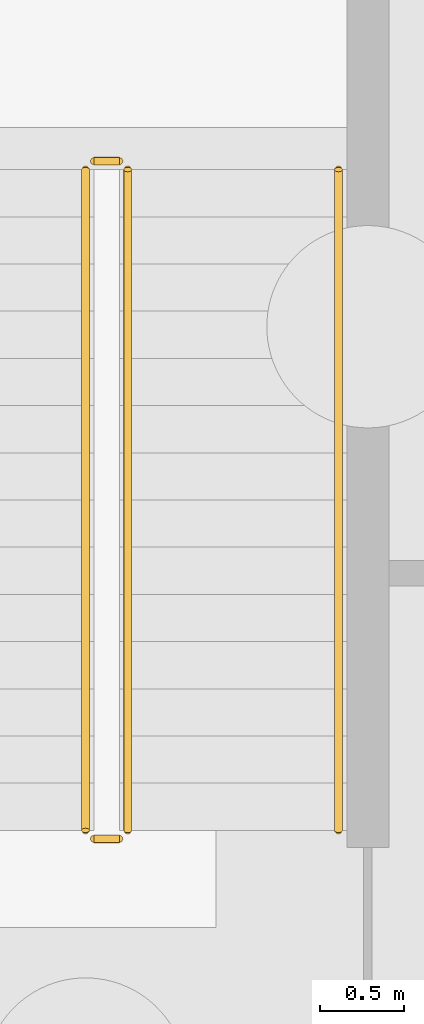
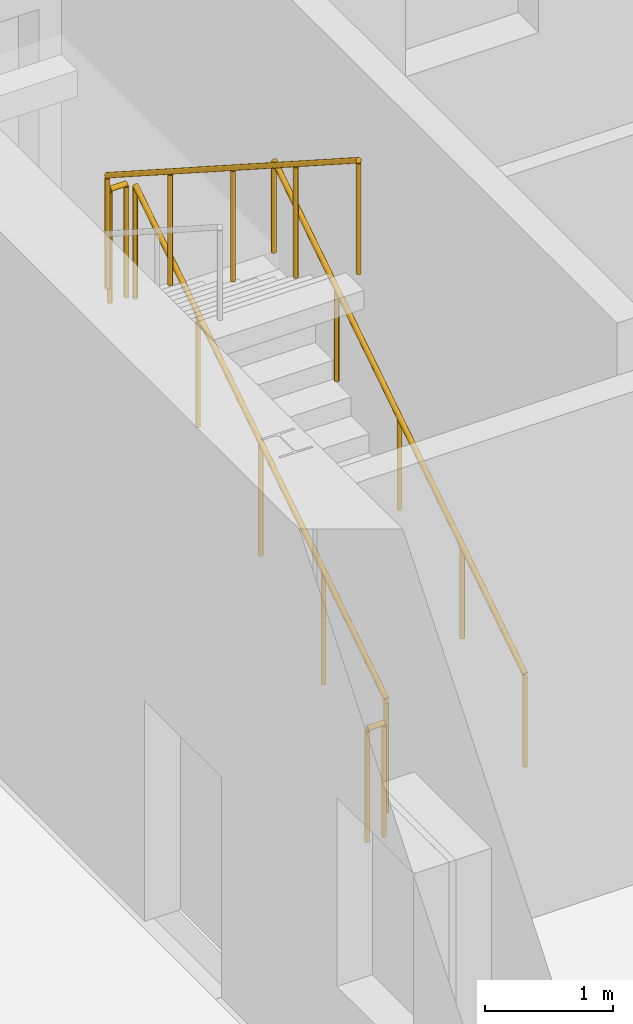
# One storey, part 148 of 168: 5 railings.
"""IFC4 building model written with IfcOpenShell, lengths in metres."""

import ifcopenshell
import ifcopenshell.guid

model = None  # the IFC model being written
_history = None  # IfcOwnerHistory: only IFC2X3 demands one
_inside = {}  # id of a spatial element -> (the spatial element, [elements in it])
_under = {}  # id of a project, library or spatial element -> (it, [spatial elements below it])
_declared = {}  # id of a project -> (the project, [libraries it declares])
_typed = {}  # id of a type object -> (the type object, [elements of that type])
_made_of = {}  # id of a material, layer set ... -> (it, [elements and type objects made of it])


def new_model(schema):
    """Start an empty IFC model of exactly this schema.

    Asked for "IFC4X3", IfcOpenShell would pick the latest addendum, in which some entities
    have other attributes; the version numbers below select the first issue.
    IFC2X3 requires an IfcOwnerHistory on every rooted entity: one is made here for all.
    """
    global model, _history
    if schema == "IFC4X3":
        model = ifcopenshell.file(schema_version=(4, 3, 0, 0))
    else:
        model = ifcopenshell.file(schema=schema)
    _inside.clear()
    _under.clear()
    _declared.clear()
    _typed.clear()
    _made_of.clear()
    _history = None
    if model.schema == "IFC2X3":
        org = make("IfcOrganization", Name="unknown")
        user = make(
            "IfcPersonAndOrganization",
            ThePerson=make("IfcPerson", FamilyName="unknown"),
            TheOrganization=org,
        )
        app = make(
            "IfcApplication",
            ApplicationDeveloper=org,
            Version="unknown",
            ApplicationFullName="unknown",
            ApplicationIdentifier="unknown",
        )
        _history = make(
            "IfcOwnerHistory",
            OwningUser=user,
            OwningApplication=app,
            ChangeAction="ADDED",
            CreationDate=0,
        )
    return model


def make(cls, **values):
    """One entity of the class cls with the attributes given. An attribute that is None is left unset."""
    return model.create_entity(
        cls, **{name: value for name, value in values.items() if value is not None}
    )


def rooted(cls, **values):
    """An entity with a GlobalId (a new one), such as an element, a storey or a relation."""
    return make(cls, GlobalId=ifcopenshell.guid.new(), OwnerHistory=_history, **values)


def si_unit(unit_type, name, prefix=None):
    """IfcSIUnit, for example si_unit("LENGTHUNIT", "METRE", prefix="MILLI")."""
    return make("IfcSIUnit", UnitType=unit_type, Prefix=prefix, Name=name)


def assignment(units):
    """IfcUnitAssignment: the units of a project."""
    return None if units is None else make("IfcUnitAssignment", Units=units)


def point(xyz):
    """IfcCartesianPoint."""
    return None if xyz is None else make("IfcCartesianPoint", Coordinates=xyz)


def direction(xyz):
    """IfcDirection."""
    return None if xyz is None else make("IfcDirection", DirectionRatios=xyz)


def frame(location, z_axis=None, x_axis=None):
    """IfcAxis2Placement3D, a coordinate frame: its origin and axes. An axis left out is left unset."""
    return make(
        "IfcAxis2Placement3D",
        Location=point(location),
        Axis=direction(z_axis),
        RefDirection=direction(x_axis),
    )


def frame_2d(location, x_axis=None):
    """IfcAxis2Placement2D, a coordinate frame in the plane: its origin and x axis."""
    return make(
        "IfcAxis2Placement2D", Location=point(location), RefDirection=direction(x_axis)
    )


def origin():
    """The frame at (0, 0, 0) with its axes left unset."""
    return frame((0.0, 0.0, 0.0))


def origin_2d():
    """The frame at (0, 0) in the plane with its x axis left unset."""
    return frame_2d((0.0, 0.0))


def place(relative_to, where):
    """IfcLocalPlacement: puts the frame where relative to a parent placement (None: the world)."""
    return make(
        "IfcLocalPlacement", PlacementRelTo=relative_to, RelativePlacement=where
    )


def context(
    kind, dimensions, precision=None, world=None, true_north=None, identifier=None
):
    """IfcGeometricRepresentationContext, for example the 3D "Model" context."""
    return make(
        "IfcGeometricRepresentationContext",
        ContextIdentifier=identifier,
        ContextType=kind,
        CoordinateSpaceDimension=dimensions,
        Precision=precision,
        WorldCoordinateSystem=world,
        TrueNorth=true_north,
    )


def subcontext(parent, identifier, kind, view, scale=None):
    """IfcGeometricRepresentationSubContext, for example "Body" below "Model"."""
    return make(
        "IfcGeometricRepresentationSubContext",
        ContextIdentifier=identifier,
        ContextType=kind,
        ParentContext=parent,
        TargetScale=scale,
        TargetView=view,
    )


def project(units=None, contexts=None):
    """IfcProject with its units and contexts."""
    return rooted(
        "IfcProject",
        Name="project",
        RepresentationContexts=contexts,
        UnitsInContext=assignment(units),
    )


def spatial(cls, under=None, at=None, **own):
    """A site, building, storey or space (cls), placed at a placement, below another one or the project."""
    s = rooted(cls, ObjectPlacement=at, **own)
    if under is not None:
        _under.setdefault(under.id(), (under, []))[1].append(s)
    return s


def profile(cls, at=None, kind="AREA", **sizes):
    """A parametric profile (cls). Its sizes go by their IFC names, for example OverallWidth=200.0."""
    return make(cls, ProfileType=kind, Position=at, **sizes)


def circle(**sizes):
    """IfcCircleProfileDef."""
    return profile("IfcCircleProfileDef", **sizes)


def extrude(swept, where, along, depth):
    """IfcExtrudedAreaSolid: the profile swept, set in the frame where, extruded along a direction by depth."""
    return make(
        "IfcExtrudedAreaSolid",
        SweptArea=swept,
        Position=where,
        ExtrudedDirection=direction(along),
        Depth=depth,
    )


def shape(context_of_items, identifier, shape_type, items):
    """IfcShapeRepresentation: the items that make up one representation, for example the "Body"."""
    return make(
        "IfcShapeRepresentation",
        ContextOfItems=context_of_items,
        RepresentationIdentifier=identifier,
        RepresentationType=shape_type,
        Items=items,
    )


def material(Name=None, Category=None):
    """IfcMaterial."""
    return make("IfcMaterial", Name=Name, Category=Category)


def made_of(thing, what):
    """Note that an element or type object is made of a material, layer set ...; save() writes the relation."""
    if what is not None:
        _made_of.setdefault(what.id(), (what, []))[1].append(thing)
    return thing


def type_object(cls, material=None, **own):
    """A type object (cls), such as IfcWallType, which elements share."""
    return made_of(rooted(cls, **own), material)


def element(
    cls,
    number,
    at=None,
    inside=None,
    cuts=None,
    type_object=None,
    material=None,
    context=None,
    identifier="Body",
    shape_type=None,
    held_by="IfcProductDefinitionShape",
    body=None,
    shapes=None,
    **own,
):
    """One element of the class cls, such as IfcWall. Its Tag is "e" and its number.

    at: its placement. inside: the storey or other place that contains it. cuts: it is an
    opening in that element (IfcRelVoidsElement). A single representation is given by context,
    identifier, shape_type and body (its items); several are given by shapes. held_by: the class
    of the entity that holds the representations. save() writes the other relations.
    """
    e = rooted(cls, Tag="e%d" % number, ObjectPlacement=at, **own)
    if body is not None:
        shapes = [shape(context, identifier, shape_type, body)]
    if shapes is not None:
        e.Representation = make(held_by, Representations=shapes)
    if inside is not None:
        _inside.setdefault(inside.id(), (inside, []))[1].append(e)
    if cuts is not None:
        rooted(
            "IfcRelVoidsElement", RelatingBuildingElement=cuts, RelatedOpeningElement=e
        )
    if type_object is not None:
        _typed.setdefault(type_object.id(), (type_object, []))[1].append(e)
    return made_of(e, material)


def aggregate(whole, parts):
    """IfcRelAggregates: a whole, such as a stair, and the parts it consists of."""
    return rooted("IfcRelAggregates", RelatingObject=whole, RelatedObjects=parts)


def save(model, path):
    """Write the relations noted so far, then the file.

    IfcRelAggregates (storeys below a building ...), IfcRelContainedInSpatialStructure (elements
    in a storey), IfcRelDefinesByType, IfcRelAssociatesMaterial and IfcRelDeclares: one each for
    every whole, place, type object, material and project.
    """
    for whole, parts in _under.values():
        aggregate(whole, parts)
    for where, things in _inside.values():
        rooted(
            "IfcRelContainedInSpatialStructure",
            RelatedElements=things,
            RelatingStructure=where,
        )
    for kind, things in _typed.values():
        rooted("IfcRelDefinesByType", RelatedObjects=things, RelatingType=kind)
    for what, things in _made_of.values():
        rooted("IfcRelAssociatesMaterial", RelatedObjects=things, RelatingMaterial=what)
    for by, libraries in _declared.values():
        rooted("IfcRelDeclares", RelatingContext=by, RelatedDefinitions=libraries)
    model.write(path)


model = new_model("IFC4")

# Units and contexts
model_context = context("Model", 3, precision=1e-05, world=origin(), true_north=direction((0.0, 1.0)))
body_context = subcontext(model_context, "Body", "Model", "MODEL_VIEW")
ifc_project = project(units=[si_unit("LENGTHUNIT", "METRE"), si_unit("AREAUNIT", "SQUARE_METRE"), si_unit("VOLUMEUNIT", "CUBIC_METRE"), si_unit("PLANEANGLEUNIT", "RADIAN"), si_unit("MASSUNIT", "GRAM", prefix="KILO")], contexts=[model_context])

# Site, building, storey
site_placement = place(None, origin())
site = spatial("IfcSite", under=ifc_project, at=site_placement, CompositionType="ELEMENT")
building_placement = place(site_placement, origin())
building = spatial("IfcBuilding", under=site, at=building_placement, Name="Golden Quay Civic Hall", CompositionType="ELEMENT")
storey_placement = place(building_placement, origin())
storey = spatial("IfcBuildingStorey", under=building, at=storey_placement, Name="L00", CompositionType="ELEMENT", Elevation=0.0)

# Railings
ifc_material_1 = material(Name="Steel S355", Category="steel")
railing_type_1 = type_object("IfcRailingType", Name="Steel guard 1100", PredefinedType="GUARDRAIL", material=ifc_material_1)
railing_1_placement = place(storey_placement, frame((118.75, 91.47509765625, 0.179931640625)))
element("IfcRailing", 1, at=railing_1_placement, inside=storey, type_object=railing_type_1, Name="L00 LB-STN stair guard 1", PredefinedType="GUARDRAIL", context=body_context, shape_type="SweptSolid", body=[
    extrude(circle(Radius=0.02392578125, at=origin_2d()), frame((0.0, 0.0, 1.076171875), z_axis=(0.0, 0.841171666519, 0.540768182723), x_axis=(-1.0, 0.0, 0.0)), (0.0, 0.0, 1.0), 4.66015625),
    extrude(circle(Radius=0.02099609375, at=origin_2d()), origin(), (0.0, 0.0, 1.0), 1.052001953125),
    extrude(circle(Radius=0.02099609375, at=origin_2d()), frame((0.0, 0.97998046875, 0.6298828125)), (0.0, 0.0, 1.0), 1.052001953125),
    extrude(circle(Radius=0.02099609375, at=origin_2d()), frame((0.0, 1.9599609375, 1.260009765625)), (0.0, 0.0, 1.0), 1.052001953125),
    extrude(circle(Radius=0.02099609375, at=origin_2d()), frame((0.0, 2.93994140625, 1.89013671875)), (0.0, 0.0, 1.0), 1.052001953125),
    extrude(circle(Radius=0.02099609375, at=origin_2d()), frame((0.0, 3.919921875, 2.52001953125)), (0.0, 0.0, 1.0), 1.052001953125),
])
railing_2_placement = place(storey_placement, frame((118.699951171875, 95.445068359375, 2.699951171875)))
element("IfcRailing", 2, at=railing_2_placement, inside=storey, type_object=railing_type_1, Name="L00 LB-STN stair guard 2", PredefinedType="GUARDRAIL", context=body_context, shape_type="SweptSolid", body=[
    extrude(circle(Radius=0.02392578125, at=origin_2d()), frame((0.0, 0.0, 1.076171875), z_axis=(-1.0, 0.0, 0.0), x_axis=(0.0, -1.0, 0.0)), (0.0, 0.0, 1.0), 0.14990234375),
    extrude(circle(Radius=0.02099609375, at=origin_2d()), origin(), (0.0, 0.0, 1.0), 1.052001953125),
    extrude(circle(Radius=0.02099609375, at=origin_2d()), frame((-0.14990234375, 0.0, 0.0)), (0.0, 0.0, 1.0), 1.052001953125),
])
railing_3_placement = place(storey_placement, frame((118.5, 95.39501953125, 2.8798828125)))
element("IfcRailing", 3, at=railing_3_placement, inside=storey, type_object=railing_type_1, Name="L00 LB-STN stair guard 3", PredefinedType="GUARDRAIL", context=body_context, shape_type="SweptSolid", body=[
    extrude(circle(Radius=0.02392578125, at=origin_2d()), frame((0.0, 0.0, 1.076171875), z_axis=(0.0, -0.841171666519, 0.540768182723), x_axis=(1.0, 0.0, 0.0)), (0.0, 0.0, 1.0), 4.66015625),
    extrude(circle(Radius=0.02099609375, at=origin_2d()), origin(), (0.0, 0.0, 1.0), 1.052001953125),
    extrude(circle(Radius=0.02099609375, at=origin_2d()), frame((0.0, -0.97998046875, 0.6298828125)), (0.0, 0.0, 1.0), 1.052001953125),
    extrude(circle(Radius=0.02099609375, at=origin_2d()), frame((0.0, -1.9599609375, 1.260009765625)), (0.0, 0.0, 1.0), 1.052001953125),
    extrude(circle(Radius=0.02099609375, at=origin_2d()), frame((0.0, -2.93994140625, 1.89013671875)), (0.0, 0.0, 1.0), 1.052001953125),
    extrude(circle(Radius=0.02099609375, at=origin_2d()), frame((0.0, -3.919921875, 2.52001953125)), (0.0, 0.0, 1.0), 1.052001953125),
])
railing_4_placement = place(storey_placement, frame((118.699951171875, 91.425048828125, 0.0)))
element("IfcRailing", 4, at=railing_4_placement, inside=storey, type_object=railing_type_1, Name="L00 LB-STN stair guard 4", PredefinedType="GUARDRAIL", context=body_context, shape_type="SweptSolid", body=[
    extrude(circle(Radius=0.02392578125, at=origin_2d()), frame((0.0, 0.0, 1.076171875), z_axis=(-1.0, 0.0, 0.0), x_axis=(0.0, -1.0, 0.0)), (0.0, 0.0, 1.0), 0.14990234375),
    extrude(circle(Radius=0.02099609375, at=origin_2d()), origin(), (0.0, 0.0, 1.0), 1.052001953125),
    extrude(circle(Radius=0.02099609375, at=origin_2d()), frame((-0.14990234375, 0.0, 0.0)), (0.0, 0.0, 1.0), 1.052001953125),
])
ifc_material_2 = material(Name="Steel S355", Category="steel")
railing_type_2 = type_object("IfcRailingType", Name="Steel handrail 900", PredefinedType="HANDRAIL", material=ifc_material_2)
railing_5_placement = place(storey_placement, frame((120.0, 91.47509765625, 0.179931640625)))
element("IfcRailing", 5, at=railing_5_placement, inside=storey, type_object=railing_type_2, Name="L00 LB-STN stair handrail 1", PredefinedType="HANDRAIL", context=body_context, shape_type="SweptSolid", body=[
    extrude(circle(Radius=0.02392578125, at=origin_2d()), frame((0.0, 0.0, 0.8759765625), z_axis=(0.0, 0.841171666519, 0.540768182723), x_axis=(-1.0, 0.0, 0.0)), (0.0, 0.0, 1.0), 4.66015625),
    extrude(circle(Radius=0.02099609375, at=origin_2d()), origin(), (0.0, 0.0, 1.0), 0.851806640625),
    extrude(circle(Radius=0.02099609375, at=origin_2d()), frame((0.0, 0.97998046875, 0.6298828125)), (0.0, 0.0, 1.0), 0.851806640625),
    extrude(circle(Radius=0.02099609375, at=origin_2d()), frame((0.0, 1.9599609375, 1.260009765625)), (0.0, 0.0, 1.0), 0.851806640625),
    extrude(circle(Radius=0.02099609375, at=origin_2d()), frame((0.0, 2.93994140625, 1.89013671875)), (0.0, 0.0, 1.0), 0.851806640625),
    extrude(circle(Radius=0.02099609375, at=origin_2d()), frame((0.0, 3.919921875, 2.52001953125)), (0.0, 0.0, 1.0), 0.851806640625),
])

save(model, "model.ifc")
